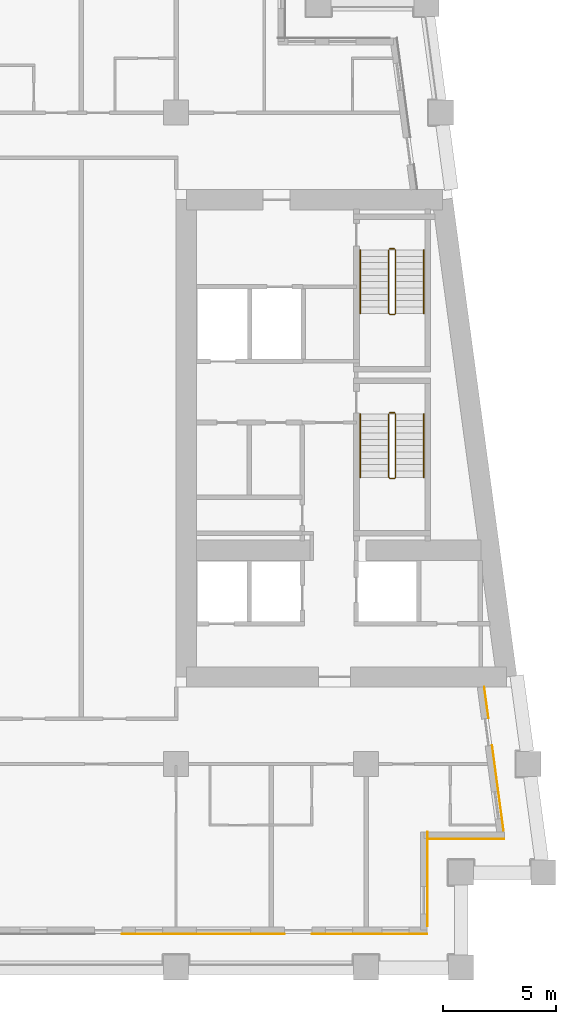
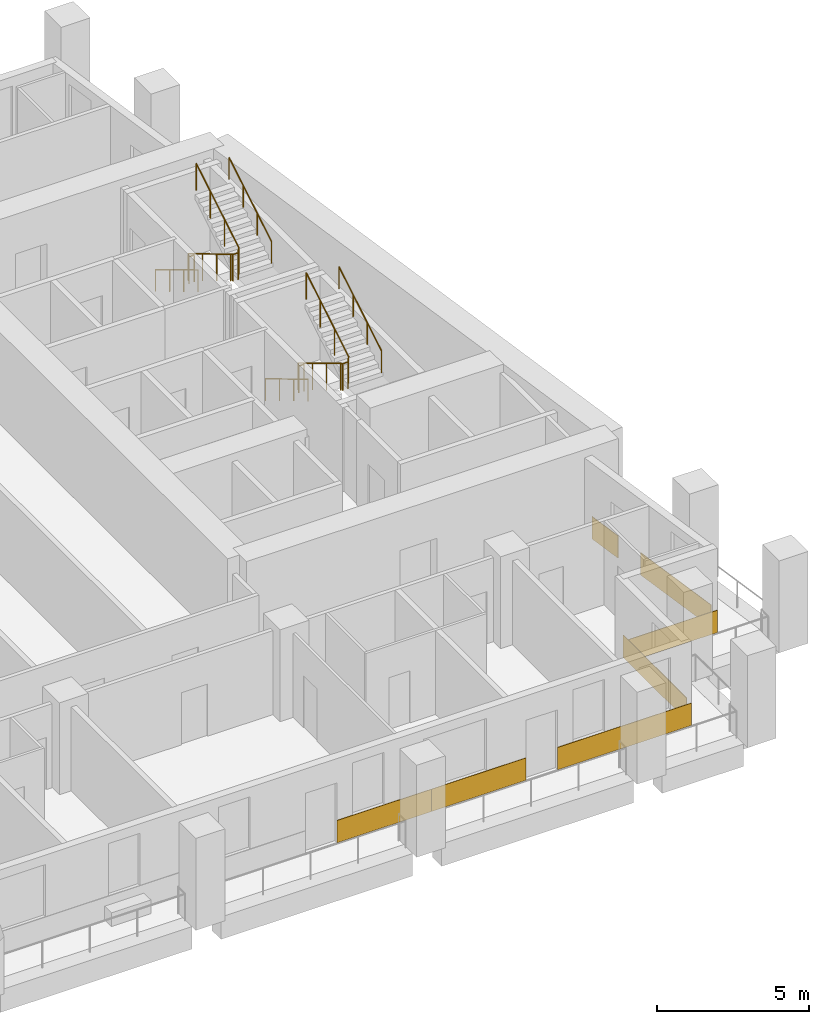
# One storey, part 11 of 13: 8 railings, 7 coverings.
"""IFC4 building model written with IfcOpenShell, lengths in metres."""

import ifcopenshell
import ifcopenshell.guid

model = None  # the IFC model being written
_history = None  # IfcOwnerHistory: only IFC2X3 demands one
_inside = {}  # id of a spatial element -> (the spatial element, [elements in it])
_under = {}  # id of a project, library or spatial element -> (it, [spatial elements below it])
_declared = {}  # id of a project -> (the project, [libraries it declares])
_typed = {}  # id of a type object -> (the type object, [elements of that type])
_made_of = {}  # id of a material, layer set ... -> (it, [elements and type objects made of it])


def new_model(schema):
    """Start an empty IFC model of exactly this schema.

    Asked for "IFC4X3", IfcOpenShell would pick the latest addendum, in which some entities
    have other attributes; the version numbers below select the first issue.
    IFC2X3 requires an IfcOwnerHistory on every rooted entity: one is made here for all.
    """
    global model, _history
    if schema == "IFC4X3":
        model = ifcopenshell.file(schema_version=(4, 3, 0, 0))
    else:
        model = ifcopenshell.file(schema=schema)
    _inside.clear()
    _under.clear()
    _declared.clear()
    _typed.clear()
    _made_of.clear()
    _history = None
    if model.schema == "IFC2X3":
        org = make("IfcOrganization", Name="unknown")
        user = make(
            "IfcPersonAndOrganization",
            ThePerson=make("IfcPerson", FamilyName="unknown"),
            TheOrganization=org,
        )
        app = make(
            "IfcApplication",
            ApplicationDeveloper=org,
            Version="unknown",
            ApplicationFullName="unknown",
            ApplicationIdentifier="unknown",
        )
        _history = make(
            "IfcOwnerHistory",
            OwningUser=user,
            OwningApplication=app,
            ChangeAction="ADDED",
            CreationDate=0,
        )
    return model


def make(cls, **values):
    """One entity of the class cls with the attributes given. An attribute that is None is left unset."""
    return model.create_entity(
        cls, **{name: value for name, value in values.items() if value is not None}
    )


def rooted(cls, **values):
    """An entity with a GlobalId (a new one), such as an element, a storey or a relation."""
    return make(cls, GlobalId=ifcopenshell.guid.new(), OwnerHistory=_history, **values)


def si_unit(unit_type, name, prefix=None):
    """IfcSIUnit, for example si_unit("LENGTHUNIT", "METRE", prefix="MILLI")."""
    return make("IfcSIUnit", UnitType=unit_type, Prefix=prefix, Name=name)


def assignment(units):
    """IfcUnitAssignment: the units of a project."""
    return None if units is None else make("IfcUnitAssignment", Units=units)


def point(xyz):
    """IfcCartesianPoint."""
    return None if xyz is None else make("IfcCartesianPoint", Coordinates=xyz)


def direction(xyz):
    """IfcDirection."""
    return None if xyz is None else make("IfcDirection", DirectionRatios=xyz)


def frame(location, z_axis=None, x_axis=None):
    """IfcAxis2Placement3D, a coordinate frame: its origin and axes. An axis left out is left unset."""
    return make(
        "IfcAxis2Placement3D",
        Location=point(location),
        Axis=direction(z_axis),
        RefDirection=direction(x_axis),
    )


def frame_2d(location, x_axis=None):
    """IfcAxis2Placement2D, a coordinate frame in the plane: its origin and x axis."""
    return make(
        "IfcAxis2Placement2D", Location=point(location), RefDirection=direction(x_axis)
    )


def origin():
    """The frame at (0, 0, 0) with its axes left unset."""
    return frame((0.0, 0.0, 0.0))


def origin_2d():
    """The frame at (0, 0) in the plane with its x axis left unset."""
    return frame_2d((0.0, 0.0))


def place(relative_to, where):
    """IfcLocalPlacement: puts the frame where relative to a parent placement (None: the world)."""
    return make(
        "IfcLocalPlacement", PlacementRelTo=relative_to, RelativePlacement=where
    )


def context(
    kind, dimensions, precision=None, world=None, true_north=None, identifier=None
):
    """IfcGeometricRepresentationContext, for example the 3D "Model" context."""
    return make(
        "IfcGeometricRepresentationContext",
        ContextIdentifier=identifier,
        ContextType=kind,
        CoordinateSpaceDimension=dimensions,
        Precision=precision,
        WorldCoordinateSystem=world,
        TrueNorth=true_north,
    )


def subcontext(parent, identifier, kind, view, scale=None):
    """IfcGeometricRepresentationSubContext, for example "Body" below "Model"."""
    return make(
        "IfcGeometricRepresentationSubContext",
        ContextIdentifier=identifier,
        ContextType=kind,
        ParentContext=parent,
        TargetScale=scale,
        TargetView=view,
    )


def project(units=None, contexts=None):
    """IfcProject with its units and contexts."""
    return rooted(
        "IfcProject",
        Name="project",
        RepresentationContexts=contexts,
        UnitsInContext=assignment(units),
    )


def spatial(cls, under=None, at=None, **own):
    """A site, building, storey or space (cls), placed at a placement, below another one or the project."""
    s = rooted(cls, ObjectPlacement=at, **own)
    if under is not None:
        _under.setdefault(under.id(), (under, []))[1].append(s)
    return s


def profile(cls, at=None, kind="AREA", **sizes):
    """A parametric profile (cls). Its sizes go by their IFC names, for example OverallWidth=200.0."""
    return make(cls, ProfileType=kind, Position=at, **sizes)


def rectangle(**sizes):
    """IfcRectangleProfileDef."""
    return profile("IfcRectangleProfileDef", **sizes)


def circle(**sizes):
    """IfcCircleProfileDef."""
    return profile("IfcCircleProfileDef", **sizes)


def extrude(swept, where, along, depth):
    """IfcExtrudedAreaSolid: the profile swept, set in the frame where, extruded along a direction by depth."""
    return make(
        "IfcExtrudedAreaSolid",
        SweptArea=swept,
        Position=where,
        ExtrudedDirection=direction(along),
        Depth=depth,
    )


def shape(context_of_items, identifier, shape_type, items):
    """IfcShapeRepresentation: the items that make up one representation, for example the "Body"."""
    return make(
        "IfcShapeRepresentation",
        ContextOfItems=context_of_items,
        RepresentationIdentifier=identifier,
        RepresentationType=shape_type,
        Items=items,
    )


def material(Name=None, Category=None):
    """IfcMaterial."""
    return make("IfcMaterial", Name=Name, Category=Category)


def layer(
    of_material, thickness, ventilated=None, Name=None, Category=None, Priority=None
):
    """IfcMaterialLayer: one layer of a wall or slab, of a material (None: an air gap)."""
    return make(
        "IfcMaterialLayer",
        Material=of_material,
        LayerThickness=thickness,
        IsVentilated=ventilated,
        Name=Name,
        Category=Category,
        Priority=Priority,
    )


def layer_set(layers, Name=None):
    """IfcMaterialLayerSet."""
    return make("IfcMaterialLayerSet", MaterialLayers=layers, LayerSetName=Name)


def made_of(thing, what):
    """Note that an element or type object is made of a material, layer set ...; save() writes the relation."""
    if what is not None:
        _made_of.setdefault(what.id(), (what, []))[1].append(thing)
    return thing


def type_object(cls, material=None, **own):
    """A type object (cls), such as IfcWallType, which elements share."""
    return made_of(rooted(cls, **own), material)


def element(
    cls,
    number,
    at=None,
    inside=None,
    cuts=None,
    type_object=None,
    material=None,
    context=None,
    identifier="Body",
    shape_type=None,
    held_by="IfcProductDefinitionShape",
    body=None,
    shapes=None,
    **own,
):
    """One element of the class cls, such as IfcWall. Its Tag is "e" and its number.

    at: its placement. inside: the storey or other place that contains it. cuts: it is an
    opening in that element (IfcRelVoidsElement). A single representation is given by context,
    identifier, shape_type and body (its items); several are given by shapes. held_by: the class
    of the entity that holds the representations. save() writes the other relations.
    """
    e = rooted(cls, Tag="e%d" % number, ObjectPlacement=at, **own)
    if body is not None:
        shapes = [shape(context, identifier, shape_type, body)]
    if shapes is not None:
        e.Representation = make(held_by, Representations=shapes)
    if inside is not None:
        _inside.setdefault(inside.id(), (inside, []))[1].append(e)
    if cuts is not None:
        rooted(
            "IfcRelVoidsElement", RelatingBuildingElement=cuts, RelatedOpeningElement=e
        )
    if type_object is not None:
        _typed.setdefault(type_object.id(), (type_object, []))[1].append(e)
    return made_of(e, material)


def aggregate(whole, parts):
    """IfcRelAggregates: a whole, such as a stair, and the parts it consists of."""
    return rooted("IfcRelAggregates", RelatingObject=whole, RelatedObjects=parts)


def save(model, path):
    """Write the relations noted so far, then the file.

    IfcRelAggregates (storeys below a building ...), IfcRelContainedInSpatialStructure (elements
    in a storey), IfcRelDefinesByType, IfcRelAssociatesMaterial and IfcRelDeclares: one each for
    every whole, place, type object, material and project.
    """
    for whole, parts in _under.values():
        aggregate(whole, parts)
    for where, things in _inside.values():
        rooted(
            "IfcRelContainedInSpatialStructure",
            RelatedElements=things,
            RelatingStructure=where,
        )
    for kind, things in _typed.values():
        rooted("IfcRelDefinesByType", RelatedObjects=things, RelatingType=kind)
    for what, things in _made_of.values():
        rooted("IfcRelAssociatesMaterial", RelatedObjects=things, RelatingMaterial=what)
    for by, libraries in _declared.values():
        rooted("IfcRelDeclares", RelatingContext=by, RelatedDefinitions=libraries)
    model.write(path)


model = new_model("IFC4")

# Units and contexts
model_context = context("Model", 3, precision=1e-05, world=origin(), true_north=direction((0.0, 1.0)))
body_context = subcontext(model_context, "Body", "Model", "MODEL_VIEW")
ifc_project = project(units=[si_unit("LENGTHUNIT", "METRE"), si_unit("AREAUNIT", "SQUARE_METRE"), si_unit("VOLUMEUNIT", "CUBIC_METRE"), si_unit("PLANEANGLEUNIT", "RADIAN"), si_unit("MASSUNIT", "GRAM", prefix="KILO")], contexts=[model_context])

# Site, building, storey
site_placement = place(None, origin())
site = spatial("IfcSite", under=ifc_project, at=site_placement, CompositionType="ELEMENT")
building_placement = place(site_placement, origin())
building = spatial("IfcBuilding", under=site, at=building_placement, Name="Candeia Pilgrim Tower and Theatre", CompositionType="ELEMENT")
storey_placement = place(building_placement, frame((0.0, 0.0, 158.89990234375)))
storey = spatial("IfcBuildingStorey", under=building, at=storey_placement, Name="L37", CompositionType="ELEMENT", Elevation=158.89990234375)

# Coverings
ifc_material_1 = material(Name="Glazed ceramic tile red")
ifc_layer_1 = layer(ifc_material_1, 0.02001953125)
ifc_layer_set_1 = layer_set([ifc_layer_1], Name="Glazed ceramic tile red")
covering_type_1 = type_object("IfcCoveringType", Name="Glazed ceramic tile red", PredefinedType="CLADDING", material=ifc_layer_set_1)
covering_1_placement = place(storey_placement, frame((125.39990234375, 99.489990234375, 0.000244140625), z_axis=(0.0, 0.0, 1.0), x_axis=(1.0, 0.0, 0.0)))
element("IfcCovering", 1, at=covering_1_placement, inside=storey, type_object=covering_type_1, Name="Tile cladding red L37", PredefinedType="CLADDING", context=body_context, shape_type="SweptSolid", body=[
    extrude(rectangle(XDim=3.60009765625, YDim=0.02001953125, at=origin_2d()), origin(), (0.0, 0.0, 1.0), 0.89990234375),
])
ifc_material_2 = material(Name="Glazed ceramic tile rust")
ifc_layer_2 = layer(ifc_material_2, 0.02001953125)
ifc_layer_set_2 = layer_set([ifc_layer_2], Name="Glazed ceramic tile rust")
covering_type_2 = type_object("IfcCoveringType", Name="Glazed ceramic tile rust", PredefinedType="CLADDING", material=ifc_layer_set_2)
covering_2_placement = place(storey_placement, frame((129.0, 99.489990234375, 0.000244140625), z_axis=(0.0, 0.0, 1.0), x_axis=(1.0, 0.0, 0.0)))
element("IfcCovering", 2, at=covering_2_placement, inside=storey, type_object=covering_type_2, Name="Tile cladding rust L37", PredefinedType="CLADDING", context=body_context, shape_type="SweptSolid", body=[
    extrude(rectangle(XDim=3.60009765625, YDim=0.02001953125, at=origin_2d()), origin(), (0.0, 0.0, 1.0), 0.89990234375),
])
covering_3_placement = place(storey_placement, frame((134.550048828125, 99.489990234375, 0.000244140625), z_axis=(0.0, 0.0, 1.0), x_axis=(1.0, 0.0, 0.0)))
element("IfcCovering", 3, at=covering_3_placement, inside=storey, type_object=covering_type_2, Name="Tile cladding rust L37", PredefinedType="CLADDING", context=body_context, shape_type="SweptSolid", body=[
    extrude(rectangle(XDim=5.10009765625, YDim=0.02001953125, at=origin_2d()), origin(), (0.0, 0.0, 1.0), 0.89990234375),
])
covering_4_placement = place(storey_placement, frame((137.110107421875, 101.909912109375, 0.000244140625), z_axis=(0.0, 0.0, 1.0), x_axis=(0.0, 1.0, 0.0)))
element("IfcCovering", 4, at=covering_4_placement, inside=storey, type_object=covering_type_2, Name="Tile cladding rust L37", PredefinedType="CLADDING", context=body_context, shape_type="SweptSolid", body=[
    extrude(rectangle(XDim=4.179931640625, YDim=0.02001953125, at=origin_2d()), origin(), (0.0, 0.0, 1.0), 0.89990234375),
])
covering_5_placement = place(storey_placement, frame((138.819580078125, 103.68994140625, 0.000244140625), z_axis=(0.0, 0.0, 1.0), x_axis=(1.0, 0.0, 0.0)))
element("IfcCovering", 5, at=covering_5_placement, inside=storey, type_object=covering_type_2, Name="Tile cladding rust L37", PredefinedType="CLADDING", context=body_context, shape_type="SweptSolid", body=[
    extrude(rectangle(XDim=3.399169921875, YDim=0.02001953125, at=origin_2d()), origin(), (0.0, 0.0, 1.0), 0.89990234375),
])
covering_6_placement = place(storey_placement, frame((140.228515625, 105.933349609375, 0.000244140625), z_axis=(0.0, 0.0, 1.0), x_axis=(-0.133412012145, 0.991060661622, 0.0)))
element("IfcCovering", 6, at=covering_6_placement, inside=storey, type_object=covering_type_2, Name="Tile cladding rust L37", PredefinedType="CLADDING", context=body_context, shape_type="SweptSolid", body=[
    extrude(rectangle(XDim=3.821044921875, YDim=0.02001953125, at=origin_2d()), origin(), (0.0, 0.0, 1.0), 0.89990234375),
])
covering_7_placement = place(storey_placement, frame((139.718994140625, 109.71875, 0.000244140625), z_axis=(0.0, 0.0, 1.0), x_axis=(-0.133412012145, 0.991060661622, 0.0)))
element("IfcCovering", 7, at=covering_7_placement, inside=storey, type_object=covering_type_2, Name="Tile cladding rust L37", PredefinedType="CLADDING", context=body_context, shape_type="SweptSolid", body=[
    extrude(rectangle(XDim=1.41796875, YDim=0.02001953125, at=origin_2d()), origin(), (0.0, 0.0, 1.0), 0.89990234375),
])

# Railings
ifc_material_3 = material(Name="Stainless steel balustrade", Category="steel")
railing_type_1 = type_object("IfcRailingType", Name="RL-GUARD-1100", PredefinedType="GUARDRAIL", material=ifc_material_3)
railing_1_placement = place(storey_placement, frame((135.39794921875, 122.47509765625, 0.168212890625)))
element("IfcRailing", 8, at=railing_1_placement, inside=storey, type_object=railing_type_1, Name="L37 ST3 stair guard 1", PredefinedType="GUARDRAIL", context=body_context, shape_type="SweptSolid", body=[
    extrude(circle(Radius=0.02392578125, at=origin_2d()), frame((0.0, 0.0, 1.076171875), z_axis=(0.0, -0.857242210791, 0.514913383045), x_axis=(1.0, 0.0, 0.0)), (0.0, 0.0, 1.0), 3.266357421875),
    extrude(circle(Radius=0.02392578125, at=origin_2d()), frame((0.0, -2.800048828125, 2.7578125), z_axis=(0.707106781187, -0.707106781187, 0.0), x_axis=(0.707106781187, 0.707106781187, 0.0)), (0.0, 0.0, 1.0), 0.07080078125),
    extrude(circle(Radius=0.02392578125, at=origin_2d()), frame((0.050048828125, -2.85009765625, 2.7578125), z_axis=(1.0, 0.0, 0.0), x_axis=(0.0, 1.0, 0.0)), (0.0, 0.0, 1.0), 0.199951171875),
    extrude(circle(Radius=0.02392578125, at=origin_2d()), frame((0.25, -2.85009765625, 2.7578125), z_axis=(0.274243871929, 0.274243871929, 0.92172696468), x_axis=(-0.707106781187, 0.707106781187, 0.0)), (0.0, 0.0, 1.0), 0.1826171875),
    extrude(circle(Radius=0.02392578125, at=origin_2d()), frame((0.300048828125, -2.800048828125, 2.92626953125), z_axis=(0.0, 0.857242210791, 0.514913383045), x_axis=(-1.0, 0.0, 0.0)), (0.0, 0.0, 1.0), 3.266357421875),
    extrude(circle(Radius=0.02099609375, at=origin_2d()), origin(), (0.0, 0.0, 1.0), 1.052001953125),
    extrude(circle(Radius=0.02099609375, at=origin_2d()), frame((0.0, -0.933349609375, 0.560546875)), (0.0, 0.0, 1.0), 1.052001953125),
    extrude(circle(Radius=0.02099609375, at=origin_2d()), frame((0.0, -1.86669921875, 1.121337890625)), (0.0, 0.0, 1.0), 1.052001953125),
    extrude(circle(Radius=0.02099609375, at=origin_2d()), frame((0.0, -2.800048828125, 1.681884765625)), (0.0, 0.0, 1.0), 1.052001953125),
    extrude(circle(Radius=0.02099609375, at=origin_2d()), frame((0.050048828125, -2.85009765625, 1.681884765625)), (0.0, 0.0, 1.0), 1.052001953125),
    extrude(circle(Radius=0.02099609375, at=origin_2d()), frame((0.25, -2.85009765625, 1.681884765625)), (0.0, 0.0, 1.0), 1.052001953125),
    extrude(circle(Radius=0.02099609375, at=origin_2d()), frame((0.300048828125, -2.800048828125, 1.85009765625)), (0.0, 0.0, 1.0), 1.052001953125),
    extrude(circle(Radius=0.02099609375, at=origin_2d()), frame((0.300048828125, -1.86669921875, 2.41064453125)), (0.0, 0.0, 1.0), 1.052001953125),
    extrude(circle(Radius=0.02099609375, at=origin_2d()), frame((0.300048828125, -0.933349609375, 2.971435546875)), (0.0, 0.0, 1.0), 1.052001953125),
    extrude(circle(Radius=0.02099609375, at=origin_2d()), frame((0.300048828125, 0.0, 3.531982421875)), (0.0, 0.0, 1.0), 1.052001953125),
])
railing_2_placement = place(storey_placement, frame((135.447998046875, 122.52490234375, 0.0)))
element("IfcRailing", 9, at=railing_2_placement, inside=storey, type_object=railing_type_1, Name="L37 ST3 stair guard 2", PredefinedType="GUARDRAIL", context=body_context, shape_type="SweptSolid", body=[
    extrude(circle(Radius=0.02392578125, at=origin_2d()), frame((0.0, 0.0, 1.076171875), z_axis=(1.0, 0.0, 0.0), x_axis=(0.0, 1.0, 0.0)), (0.0, 0.0, 1.0), 0.199951171875),
    extrude(circle(Radius=0.02099609375, at=origin_2d()), origin(), (0.0, 0.0, 1.0), 1.052001953125),
    extrude(circle(Radius=0.02099609375, at=origin_2d()), frame((0.199951171875, 0.0, 0.0)), (0.0, 0.0, 1.0), 1.052001953125),
])
railing_3_placement = place(storey_placement, frame((135.39794921875, 129.72509765625, 0.168212890625)))
element("IfcRailing", 10, at=railing_3_placement, inside=storey, type_object=railing_type_1, Name="L37 ST4 stair guard 1", PredefinedType="GUARDRAIL", context=body_context, shape_type="SweptSolid", body=[
    extrude(circle(Radius=0.02392578125, at=origin_2d()), frame((0.0, 0.0, 1.076171875), z_axis=(0.0, -0.857242210791, 0.514913383045), x_axis=(1.0, 0.0, 0.0)), (0.0, 0.0, 1.0), 3.266357421875),
    extrude(circle(Radius=0.02392578125, at=origin_2d()), frame((0.0, -2.800048828125, 2.7578125), z_axis=(0.707106781187, -0.707106781187, 0.0), x_axis=(0.707106781187, 0.707106781187, 0.0)), (0.0, 0.0, 1.0), 0.07080078125),
    extrude(circle(Radius=0.02392578125, at=origin_2d()), frame((0.050048828125, -2.85009765625, 2.7578125), z_axis=(1.0, 0.0, 0.0), x_axis=(0.0, 1.0, 0.0)), (0.0, 0.0, 1.0), 0.199951171875),
    extrude(circle(Radius=0.02392578125, at=origin_2d()), frame((0.25, -2.85009765625, 2.7578125), z_axis=(0.274243871929, 0.274243871929, 0.92172696468), x_axis=(-0.707106781187, 0.707106781187, 0.0)), (0.0, 0.0, 1.0), 0.1826171875),
    extrude(circle(Radius=0.02392578125, at=origin_2d()), frame((0.300048828125, -2.800048828125, 2.92626953125), z_axis=(0.0, 0.857242210791, 0.514913383045), x_axis=(-1.0, 0.0, 0.0)), (0.0, 0.0, 1.0), 3.266357421875),
    extrude(circle(Radius=0.02099609375, at=origin_2d()), origin(), (0.0, 0.0, 1.0), 1.052001953125),
    extrude(circle(Radius=0.02099609375, at=origin_2d()), frame((0.0, -0.933349609375, 0.560546875)), (0.0, 0.0, 1.0), 1.052001953125),
    extrude(circle(Radius=0.02099609375, at=origin_2d()), frame((0.0, -1.86669921875, 1.121337890625)), (0.0, 0.0, 1.0), 1.052001953125),
    extrude(circle(Radius=0.02099609375, at=origin_2d()), frame((0.0, -2.800048828125, 1.681884765625)), (0.0, 0.0, 1.0), 1.052001953125),
    extrude(circle(Radius=0.02099609375, at=origin_2d()), frame((0.050048828125, -2.85009765625, 1.681884765625)), (0.0, 0.0, 1.0), 1.052001953125),
    extrude(circle(Radius=0.02099609375, at=origin_2d()), frame((0.25, -2.85009765625, 1.681884765625)), (0.0, 0.0, 1.0), 1.052001953125),
    extrude(circle(Radius=0.02099609375, at=origin_2d()), frame((0.300048828125, -2.800048828125, 1.85009765625)), (0.0, 0.0, 1.0), 1.052001953125),
    extrude(circle(Radius=0.02099609375, at=origin_2d()), frame((0.300048828125, -1.86669921875, 2.41064453125)), (0.0, 0.0, 1.0), 1.052001953125),
    extrude(circle(Radius=0.02099609375, at=origin_2d()), frame((0.300048828125, -0.933349609375, 2.971435546875)), (0.0, 0.0, 1.0), 1.052001953125),
    extrude(circle(Radius=0.02099609375, at=origin_2d()), frame((0.300048828125, 0.0, 3.531982421875)), (0.0, 0.0, 1.0), 1.052001953125),
])
railing_4_placement = place(storey_placement, frame((135.447998046875, 129.77490234375, 0.0)))
element("IfcRailing", 11, at=railing_4_placement, inside=storey, type_object=railing_type_1, Name="L37 ST4 stair guard 2", PredefinedType="GUARDRAIL", context=body_context, shape_type="SweptSolid", body=[
    extrude(circle(Radius=0.02392578125, at=origin_2d()), frame((0.0, 0.0, 1.076171875), z_axis=(1.0, 0.0, 0.0), x_axis=(0.0, 1.0, 0.0)), (0.0, 0.0, 1.0), 0.199951171875),
    extrude(circle(Radius=0.02099609375, at=origin_2d()), origin(), (0.0, 0.0, 1.0), 1.052001953125),
    extrude(circle(Radius=0.02099609375, at=origin_2d()), frame((0.199951171875, 0.0, 0.0)), (0.0, 0.0, 1.0), 1.052001953125),
])
ifc_material_4 = material(Name="Stainless steel handrail", Category="steel")
railing_type_2 = type_object("IfcRailingType", Name="RL-HANDRAIL-900", PredefinedType="HANDRAIL", material=ifc_material_4)
railing_5_placement = place(storey_placement, frame((134.14794921875, 122.47509765625, 0.168212890625)))
element("IfcRailing", 12, at=railing_5_placement, inside=storey, type_object=railing_type_2, Name="L37 ST3 stair handrail 1", PredefinedType="HANDRAIL", context=body_context, shape_type="SweptSolid", body=[
    extrude(circle(Radius=0.02392578125, at=origin_2d()), frame((0.0, 0.0, 0.8759765625), z_axis=(0.0, -0.857242210791, 0.514913383045), x_axis=(1.0, 0.0, 0.0)), (0.0, 0.0, 1.0), 3.266357421875),
    extrude(circle(Radius=0.02099609375, at=origin_2d()), origin(), (0.0, 0.0, 1.0), 0.851806640625),
    extrude(circle(Radius=0.02099609375, at=origin_2d()), frame((0.0, -0.933349609375, 0.560546875)), (0.0, 0.0, 1.0), 0.851806640625),
    extrude(circle(Radius=0.02099609375, at=origin_2d()), frame((0.0, -1.86669921875, 1.121337890625)), (0.0, 0.0, 1.0), 0.851806640625),
    extrude(circle(Radius=0.02099609375, at=origin_2d()), frame((0.0, -2.800048828125, 1.681884765625)), (0.0, 0.0, 1.0), 0.851806640625),
])
railing_6_placement = place(storey_placement, frame((136.947998046875, 119.675048828125, 2.018310546875)))
element("IfcRailing", 13, at=railing_6_placement, inside=storey, type_object=railing_type_2, Name="L37 ST3 stair handrail 2", PredefinedType="HANDRAIL", context=body_context, shape_type="SweptSolid", body=[
    extrude(circle(Radius=0.02392578125, at=origin_2d()), frame((0.0, 0.0, 0.8759765625), z_axis=(0.0, 0.857242210791, 0.514913383045), x_axis=(-1.0, 0.0, 0.0)), (0.0, 0.0, 1.0), 3.266357421875),
    extrude(circle(Radius=0.02099609375, at=origin_2d()), origin(), (0.0, 0.0, 1.0), 0.851806640625),
    extrude(circle(Radius=0.02099609375, at=origin_2d()), frame((0.0, 0.933349609375, 0.560546875)), (0.0, 0.0, 1.0), 0.851806640625),
    extrude(circle(Radius=0.02099609375, at=origin_2d()), frame((0.0, 1.86669921875, 1.121337890625)), (0.0, 0.0, 1.0), 0.851806640625),
    extrude(circle(Radius=0.02099609375, at=origin_2d()), frame((0.0, 2.800048828125, 1.681884765625)), (0.0, 0.0, 1.0), 0.851806640625),
])
railing_7_placement = place(storey_placement, frame((134.14794921875, 129.72509765625, 0.168212890625)))
element("IfcRailing", 14, at=railing_7_placement, inside=storey, type_object=railing_type_2, Name="L37 ST4 stair handrail 1", PredefinedType="HANDRAIL", context=body_context, shape_type="SweptSolid", body=[
    extrude(circle(Radius=0.02392578125, at=origin_2d()), frame((0.0, 0.0, 0.8759765625), z_axis=(0.0, -0.857242210791, 0.514913383045), x_axis=(1.0, 0.0, 0.0)), (0.0, 0.0, 1.0), 3.266357421875),
    extrude(circle(Radius=0.02099609375, at=origin_2d()), origin(), (0.0, 0.0, 1.0), 0.851806640625),
    extrude(circle(Radius=0.02099609375, at=origin_2d()), frame((0.0, -0.933349609375, 0.560546875)), (0.0, 0.0, 1.0), 0.851806640625),
    extrude(circle(Radius=0.02099609375, at=origin_2d()), frame((0.0, -1.86669921875, 1.121337890625)), (0.0, 0.0, 1.0), 0.851806640625),
    extrude(circle(Radius=0.02099609375, at=origin_2d()), frame((0.0, -2.800048828125, 1.681884765625)), (0.0, 0.0, 1.0), 0.851806640625),
])
railing_8_placement = place(storey_placement, frame((136.947998046875, 126.925048828125, 2.018310546875)))
element("IfcRailing", 15, at=railing_8_placement, inside=storey, type_object=railing_type_2, Name="L37 ST4 stair handrail 2", PredefinedType="HANDRAIL", context=body_context, shape_type="SweptSolid", body=[
    extrude(circle(Radius=0.02392578125, at=origin_2d()), frame((0.0, 0.0, 0.8759765625), z_axis=(0.0, 0.857242210791, 0.514913383045), x_axis=(-1.0, 0.0, 0.0)), (0.0, 0.0, 1.0), 3.266357421875),
    extrude(circle(Radius=0.02099609375, at=origin_2d()), origin(), (0.0, 0.0, 1.0), 0.851806640625),
    extrude(circle(Radius=0.02099609375, at=origin_2d()), frame((0.0, 0.933349609375, 0.560546875)), (0.0, 0.0, 1.0), 0.851806640625),
    extrude(circle(Radius=0.02099609375, at=origin_2d()), frame((0.0, 1.86669921875, 1.121337890625)), (0.0, 0.0, 1.0), 0.851806640625),
    extrude(circle(Radius=0.02099609375, at=origin_2d()), frame((0.0, 2.800048828125, 1.681884765625)), (0.0, 0.0, 1.0), 0.851806640625),
])

save(model, "model.ifc")
